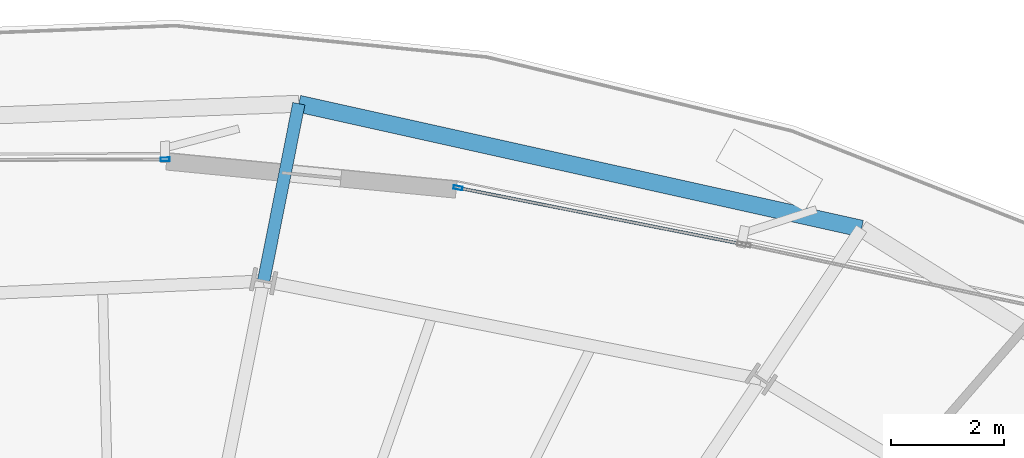
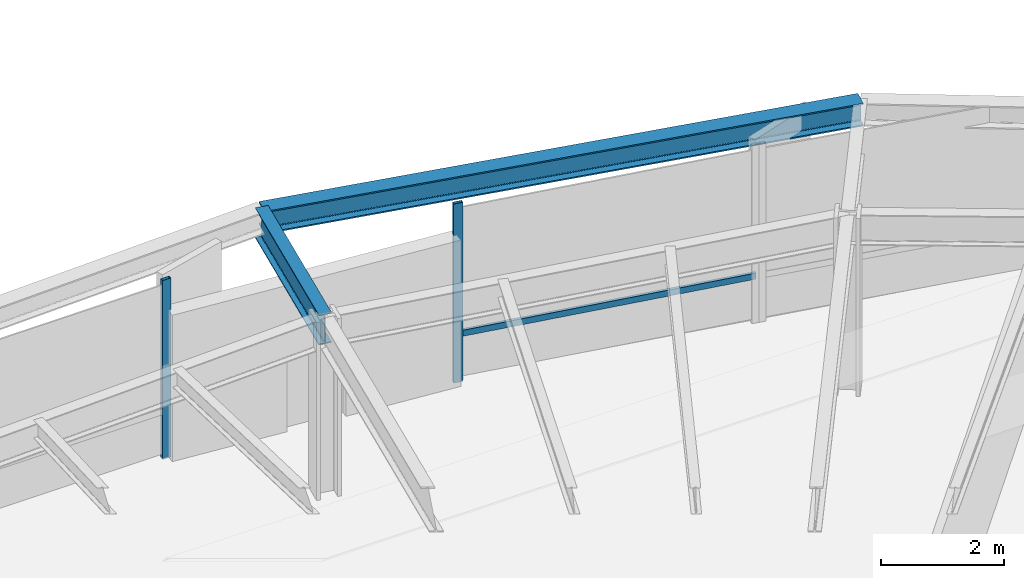
# One storey, part 27 of 37: 3 members, 2 beams, 2 elements without a shape of their own.
"""IFC4 building model written with IfcOpenShell, lengths in metres."""

import ifcopenshell
import ifcopenshell.guid

model = None  # the IFC model being written
_history = None  # IfcOwnerHistory: only IFC2X3 demands one
_inside = {}  # id of a spatial element -> (the spatial element, [elements in it])
_under = {}  # id of a project, library or spatial element -> (it, [spatial elements below it])
_declared = {}  # id of a project -> (the project, [libraries it declares])
_typed = {}  # id of a type object -> (the type object, [elements of that type])
_made_of = {}  # id of a material, layer set ... -> (it, [elements and type objects made of it])


def new_model(schema):
    """Start an empty IFC model of exactly this schema.

    Asked for "IFC4X3", IfcOpenShell would pick the latest addendum, in which some entities
    have other attributes; the version numbers below select the first issue.
    IFC2X3 requires an IfcOwnerHistory on every rooted entity: one is made here for all.
    """
    global model, _history
    if schema == "IFC4X3":
        model = ifcopenshell.file(schema_version=(4, 3, 0, 0))
    else:
        model = ifcopenshell.file(schema=schema)
    _inside.clear()
    _under.clear()
    _declared.clear()
    _typed.clear()
    _made_of.clear()
    _history = None
    if model.schema == "IFC2X3":
        org = make("IfcOrganization", Name="unknown")
        user = make(
            "IfcPersonAndOrganization",
            ThePerson=make("IfcPerson", FamilyName="unknown"),
            TheOrganization=org,
        )
        app = make(
            "IfcApplication",
            ApplicationDeveloper=org,
            Version="unknown",
            ApplicationFullName="unknown",
            ApplicationIdentifier="unknown",
        )
        _history = make(
            "IfcOwnerHistory",
            OwningUser=user,
            OwningApplication=app,
            ChangeAction="ADDED",
            CreationDate=0,
        )
    return model


def make(cls, **values):
    """One entity of the class cls with the attributes given. An attribute that is None is left unset."""
    return model.create_entity(
        cls, **{name: value for name, value in values.items() if value is not None}
    )


def rooted(cls, **values):
    """An entity with a GlobalId (a new one), such as an element, a storey or a relation."""
    return make(cls, GlobalId=ifcopenshell.guid.new(), OwnerHistory=_history, **values)


def si_unit(unit_type, name, prefix=None):
    """IfcSIUnit, for example si_unit("LENGTHUNIT", "METRE", prefix="MILLI")."""
    return make("IfcSIUnit", UnitType=unit_type, Prefix=prefix, Name=name)


def assignment(units):
    """IfcUnitAssignment: the units of a project."""
    return None if units is None else make("IfcUnitAssignment", Units=units)


def point(xyz):
    """IfcCartesianPoint."""
    return None if xyz is None else make("IfcCartesianPoint", Coordinates=xyz)


def direction(xyz):
    """IfcDirection."""
    return None if xyz is None else make("IfcDirection", DirectionRatios=xyz)


def frame(location, z_axis=None, x_axis=None):
    """IfcAxis2Placement3D, a coordinate frame: its origin and axes. An axis left out is left unset."""
    return make(
        "IfcAxis2Placement3D",
        Location=point(location),
        Axis=direction(z_axis),
        RefDirection=direction(x_axis),
    )


def frame_2d(location, x_axis=None):
    """IfcAxis2Placement2D, a coordinate frame in the plane: its origin and x axis."""
    return make(
        "IfcAxis2Placement2D", Location=point(location), RefDirection=direction(x_axis)
    )


def origin():
    """The frame at (0, 0, 0) with its axes left unset."""
    return frame((0.0, 0.0, 0.0))


def origin_2d():
    """The frame at (0, 0) in the plane with its x axis left unset."""
    return frame_2d((0.0, 0.0))


def place(relative_to, where):
    """IfcLocalPlacement: puts the frame where relative to a parent placement (None: the world)."""
    return make(
        "IfcLocalPlacement", PlacementRelTo=relative_to, RelativePlacement=where
    )


def context(
    kind, dimensions, precision=None, world=None, true_north=None, identifier=None
):
    """IfcGeometricRepresentationContext, for example the 3D "Model" context."""
    return make(
        "IfcGeometricRepresentationContext",
        ContextIdentifier=identifier,
        ContextType=kind,
        CoordinateSpaceDimension=dimensions,
        Precision=precision,
        WorldCoordinateSystem=world,
        TrueNorth=true_north,
    )


def subcontext(parent, identifier, kind, view, scale=None):
    """IfcGeometricRepresentationSubContext, for example "Body" below "Model"."""
    return make(
        "IfcGeometricRepresentationSubContext",
        ContextIdentifier=identifier,
        ContextType=kind,
        ParentContext=parent,
        TargetScale=scale,
        TargetView=view,
    )


def project(units=None, contexts=None):
    """IfcProject with its units and contexts."""
    return rooted(
        "IfcProject",
        Name="project",
        RepresentationContexts=contexts,
        UnitsInContext=assignment(units),
    )


def spatial(cls, under=None, at=None, **own):
    """A site, building, storey or space (cls), placed at a placement, below another one or the project."""
    s = rooted(cls, ObjectPlacement=at, **own)
    if under is not None:
        _under.setdefault(under.id(), (under, []))[1].append(s)
    return s


def profile(cls, at=None, kind="AREA", **sizes):
    """A parametric profile (cls). Its sizes go by their IFC names, for example OverallWidth=200.0."""
    return make(cls, ProfileType=kind, Position=at, **sizes)


def hollow_rectangle(**sizes):
    """IfcRectangleHollowProfileDef."""
    return profile("IfcRectangleHollowProfileDef", **sizes)


def i_section(**sizes):
    """IfcIShapeProfileDef."""
    return profile("IfcIShapeProfileDef", **sizes)


def extrude(swept, where, along, depth):
    """IfcExtrudedAreaSolid: the profile swept, set in the frame where, extruded along a direction by depth."""
    return make(
        "IfcExtrudedAreaSolid",
        SweptArea=swept,
        Position=where,
        ExtrudedDirection=direction(along),
        Depth=depth,
    )


def shape(context_of_items, identifier, shape_type, items):
    """IfcShapeRepresentation: the items that make up one representation, for example the "Body"."""
    return make(
        "IfcShapeRepresentation",
        ContextOfItems=context_of_items,
        RepresentationIdentifier=identifier,
        RepresentationType=shape_type,
        Items=items,
    )


def source(mapping_origin, context_of_items, identifier, shape_type, items):
    """IfcRepresentationMap: a shape defined once, which mapped items show again and again."""
    return make(
        "IfcRepresentationMap",
        MappingOrigin=mapping_origin,
        MappedRepresentation=shape(context_of_items, identifier, shape_type, items),
    )


def transform(
    local_origin,
    x_axis=None,
    y_axis=None,
    z_axis=None,
    scale=None,
    scale2=None,
    scale3=None,
    uniform=True,
):
    """IfcCartesianTransformationOperator3D, or its non-uniform kind. x_axis, y_axis, z_axis: its Axis1, 2, 3."""
    if uniform:
        return make(
            "IfcCartesianTransformationOperator3D",
            Axis1=direction(x_axis),
            Axis2=direction(y_axis),
            LocalOrigin=point(local_origin),
            Scale=scale,
            Axis3=direction(z_axis),
        )
    return make(
        "IfcCartesianTransformationOperator3DnonUniform",
        Axis1=direction(x_axis),
        Axis2=direction(y_axis),
        LocalOrigin=point(local_origin),
        Scale=scale,
        Axis3=direction(z_axis),
        Scale2=scale2,
        Scale3=scale3,
    )


def mapped(mapping_source, mapping_target):
    """IfcMappedItem: shows the shape of a source again, moved by a transform."""
    return make(
        "IfcMappedItem", MappingSource=mapping_source, MappingTarget=mapping_target
    )


def material(Name=None, Category=None):
    """IfcMaterial."""
    return make("IfcMaterial", Name=Name, Category=Category)


def layer(
    of_material, thickness, ventilated=None, Name=None, Category=None, Priority=None
):
    """IfcMaterialLayer: one layer of a wall or slab, of a material (None: an air gap)."""
    return make(
        "IfcMaterialLayer",
        Material=of_material,
        LayerThickness=thickness,
        IsVentilated=ventilated,
        Name=Name,
        Category=Category,
        Priority=Priority,
    )


def layer_set(layers, Name=None):
    """IfcMaterialLayerSet."""
    return make("IfcMaterialLayerSet", MaterialLayers=layers, LayerSetName=Name)


def material_profile(
    of_material, cross_section, Name=None, Category=None, Priority=None
):
    """IfcMaterialProfile: a cross section and its material."""
    return make(
        "IfcMaterialProfile",
        Name=Name,
        Material=of_material,
        Profile=cross_section,
        Priority=Priority,
        Category=Category,
    )


def profile_set(profiles, Name=None, composite=None):
    """IfcMaterialProfileSet."""
    return make(
        "IfcMaterialProfileSet",
        Name=Name,
        MaterialProfiles=profiles,
        CompositeProfile=composite,
    )


def made_of(thing, what):
    """Note that an element or type object is made of a material, layer set ...; save() writes the relation."""
    if what is not None:
        _made_of.setdefault(what.id(), (what, []))[1].append(thing)
    return thing


def type_object(cls, material=None, **own):
    """A type object (cls), such as IfcWallType, which elements share."""
    return made_of(rooted(cls, **own), material)


def element(
    cls,
    number,
    at=None,
    inside=None,
    cuts=None,
    type_object=None,
    material=None,
    context=None,
    identifier="Body",
    shape_type=None,
    held_by="IfcProductDefinitionShape",
    body=None,
    shapes=None,
    **own,
):
    """One element of the class cls, such as IfcWall. Its Tag is "e" and its number.

    at: its placement. inside: the storey or other place that contains it. cuts: it is an
    opening in that element (IfcRelVoidsElement). A single representation is given by context,
    identifier, shape_type and body (its items); several are given by shapes. held_by: the class
    of the entity that holds the representations. save() writes the other relations.
    """
    e = rooted(cls, Tag="e%d" % number, ObjectPlacement=at, **own)
    if body is not None:
        shapes = [shape(context, identifier, shape_type, body)]
    if shapes is not None:
        e.Representation = make(held_by, Representations=shapes)
    if inside is not None:
        _inside.setdefault(inside.id(), (inside, []))[1].append(e)
    if cuts is not None:
        rooted(
            "IfcRelVoidsElement", RelatingBuildingElement=cuts, RelatedOpeningElement=e
        )
    if type_object is not None:
        _typed.setdefault(type_object.id(), (type_object, []))[1].append(e)
    return made_of(e, material)


def aggregate(whole, parts):
    """IfcRelAggregates: a whole, such as a stair, and the parts it consists of."""
    return rooted("IfcRelAggregates", RelatingObject=whole, RelatedObjects=parts)


def save(model, path):
    """Write the relations noted so far, then the file.

    IfcRelAggregates (storeys below a building ...), IfcRelContainedInSpatialStructure (elements
    in a storey), IfcRelDefinesByType, IfcRelAssociatesMaterial and IfcRelDeclares: one each for
    every whole, place, type object, material and project.
    """
    for whole, parts in _under.values():
        aggregate(whole, parts)
    for where, things in _inside.values():
        rooted(
            "IfcRelContainedInSpatialStructure",
            RelatedElements=things,
            RelatingStructure=where,
        )
    for kind, things in _typed.values():
        rooted("IfcRelDefinesByType", RelatedObjects=things, RelatingType=kind)
    for what, things in _made_of.values():
        rooted("IfcRelAssociatesMaterial", RelatedObjects=things, RelatingMaterial=what)
    for by, libraries in _declared.values():
        rooted("IfcRelDeclares", RelatingContext=by, RelatedDefinitions=libraries)
    model.write(path)


model = new_model("IFC4")

# Units and contexts
model_context = context("Model", 3, precision=1e-05, world=origin(), true_north=direction((0.0, 1.0)))
body_context = subcontext(model_context, "Body", "Model", "MODEL_VIEW")
ifc_project = project(units=[si_unit("LENGTHUNIT", "METRE"), si_unit("AREAUNIT", "SQUARE_METRE"), si_unit("VOLUMEUNIT", "CUBIC_METRE"), si_unit("PLANEANGLEUNIT", "RADIAN"), si_unit("MASSUNIT", "GRAM", prefix="KILO"), si_unit("THERMODYNAMICTEMPERATUREUNIT", "KELVIN")], contexts=[model_context])

# Site, building, storey
site_placement = place(None, origin())
site = spatial("IfcSite", under=ifc_project, at=site_placement, CompositionType="ELEMENT")
building_placement = place(site_placement, origin())
building = spatial("IfcBuilding", under=site, at=building_placement, Name="Kethvar Cultural Tower", CompositionType="ELEMENT")
storey_placement = place(building_placement, frame((0.0, 0.0, 56.199951171875)))
storey = spatial("IfcBuildingStorey", under=building, at=storey_placement, Name="L13", CompositionType="ELEMENT", Elevation=56.199951171875)

# Beams
ifc_material_1 = material(Name="Steel S355J2", Category="steel")
ifc_material_profile_1 = material_profile(ifc_material_1, i_section(OverallWidth=0.219970703125, OverallDepth=0.60009765625, WebThickness=0.011962890625, FlangeThickness=0.01904296875, FilletRadius=0.02392578125, at=origin_2d()), Name="Steel S355J2 — IPE600")
ifc_profile_set_1 = profile_set([ifc_material_profile_1], Name="Steel S355J2 — IPE600")
beam_type_1 = type_object("IfcBeamType", Name="BM-IPE600", PredefinedType="BEAM", material=ifc_profile_set_1)
shared_shape_1 = source(origin(), body_context, "Body", "SweptSolid", [
    extrude(i_section(OverallWidth=0.219970703125, OverallDepth=0.60009765625, WebThickness=0.011962890625, FlangeThickness=0.01904296875, FilletRadius=0.02392578125, at=origin_2d()), origin(), (0.0, 0.0, 1.0), 3.199951171875),
])
beam_1_placement = place(storey_placement, frame((51.022216796875, 49.02587890625, 3.248046875), z_axis=(0.195088965533, 0.980785550224, 0.0), x_axis=(-0.980785550224, 0.195088965533, 0.0)))
element("IfcBeam", 1, at=beam_1_placement, inside=storey, type_object=beam_type_1, Name="L13 Perimeter Cantilever Beam RC-04", PredefinedType="BEAM", context=body_context, shape_type="MappedRepresentation", body=[
    mapped(shared_shape_1, transform((0.0, 0.0, 0.0), scale=1.0)),
])
ifc_material_profile_2 = material_profile(ifc_material_1, i_section(OverallWidth=0.300048828125, OverallDepth=0.449951171875, WebThickness=0.013916015625, FlangeThickness=0.02587890625, FilletRadius=0.027099609375, at=origin_2d()), Name="Steel S355J2 — HEB450")
ifc_profile_set_2 = profile_set([ifc_material_profile_2], Name="Steel S355J2 — HEB450")
beam_type_2 = type_object("IfcBeamType", Name="BM-SP450", PredefinedType="SPANDREL", material=ifc_profile_set_2)
shared_shape_2 = source(origin(), body_context, "Body", "SweptSolid", [
    extrude(i_section(OverallWidth=0.300048828125, OverallDepth=0.449951171875, WebThickness=0.013916015625, FlangeThickness=0.02587890625, FilletRadius=0.027099609375, at=origin_2d()), origin(), (0.0, 0.0, 1.0), 10.19873046875),
])
beam_2_placement = place(storey_placement, frame((61.602783203125, 49.9541015625, 3.322998046875), z_axis=(-0.976234913358, 0.216715006268, 0.0), x_axis=(-0.216715006268, -0.976234913358, 0.0)))
element("IfcBeam", 2, at=beam_2_placement, inside=storey, type_object=beam_type_2, Name="L13 Perimeter Spandrel Beam SP-03", PredefinedType="SPANDREL", context=body_context, shape_type="MappedRepresentation", body=[
    mapped(shared_shape_2, transform((0.0, 0.0, 0.0), scale=1.0)),
])

# Curtain wall, member
ifc_material_2 = material(Name="Aluminium 6063-T6", Category="aluminium")
ifc_layer = layer(ifc_material_2, 0.179931640625, Name="Aluminium 6063-T6", Category="aluminium")
ifc_layer_set = layer_set([ifc_layer], Name="Aluminium 6063-T6 (180 mm)")
curtain_wall_type = type_object("IfcCurtainWallType", Name="CW-SYS-02-Z1", PredefinedType="NOTDEFINED", material=ifc_layer_set)
curtain_wall_1_placement = place(storey_placement, origin())
curtain_wall_1 = element("IfcCurtainWall", 3, at=curtain_wall_1_placement, inside=storey, type_object=curtain_wall_type, Name="L13 Curtain Wall Run 02", PredefinedType="NOTDEFINED")
ifc_material_profile_3 = material_profile(ifc_material_2, hollow_rectangle(XDim=0.06494140625, YDim=0.159912109375, WallThickness=0.0048828125, at=origin_2d()), Name="Aluminium 6063-T6 — RHS160x65x5")
ifc_profile_set_3 = profile_set([ifc_material_profile_3], Name="Aluminium 6063-T6 — RHS160x65x5")
member_type_1 = type_object("IfcMemberType", Name="CW-SYS-02-Z1-MUL", PredefinedType="MULLION", material=ifc_profile_set_3)
shared_shape_3 = source(origin(), body_context, "Body", "SweptSolid", [
    extrude(hollow_rectangle(XDim=0.06494140625, YDim=0.159912109375, WallThickness=0.0048828125, at=origin_2d()), origin(), (0.0, 0.0, 1.0), 3.550048828125),
])
member_1_placement = place(storey_placement, frame((54.463134765625, 50.677001953125, 0.0), z_axis=(0.0, 0.0, 1.0), x_axis=(-0.194337075538, -0.980934809797, 0.0)))
member_1 = element("IfcMember", 4, at=member_1_placement, type_object=member_type_1, Name="CW-L13-R02 Mullion 2", PredefinedType="MULLION", context=body_context, shape_type="MappedRepresentation", body=[
    mapped(shared_shape_3, transform((0.0, 0.0, 0.0), scale=1.0)),
])

curtain_wall_2_placement = place(storey_placement, origin())
curtain_wall_2 = element("IfcCurtainWall", 5, at=curtain_wall_2_placement, inside=storey, type_object=curtain_wall_type, Name="L13 Curtain Wall Run 03", PredefinedType="NOTDEFINED")
member_2_placement = place(storey_placement, frame((49.27978515625, 51.180908203125, 0.0), z_axis=(0.0, 0.0, 1.0), x_axis=(0.003368479086, -0.999994326658, 0.0)))
member_2 = element("IfcMember", 6, at=member_2_placement, type_object=member_type_1, Name="CW-L13-R03 Mullion 1", PredefinedType="MULLION", context=body_context, shape_type="MappedRepresentation", body=[
    mapped(shared_shape_3, transform((0.0, 0.0, 0.0), scale=1.0)),
])
aggregate(curtain_wall_2, [member_2])

# Member
ifc_material_profile_4 = material_profile(ifc_material_2, hollow_rectangle(XDim=0.054931640625, YDim=0.1201171875, WallThickness=0.00390625, at=origin_2d()), Name="Aluminium 6063-T6 — RHS120x55x4")
ifc_profile_set_4 = profile_set([ifc_material_profile_4], Name="Aluminium 6063-T6 — RHS120x55x4")
member_type_2 = type_object("IfcMemberType", Name="CW-SYS-02-Z1-TRN", PredefinedType="USERDEFINED", material=ifc_profile_set_4)
shared_shape_4 = source(origin(), body_context, "Body", "SweptSolid", [
    extrude(hollow_rectangle(XDim=0.054931640625, YDim=0.1201171875, WallThickness=0.00390625, at=origin_2d()), origin(), (0.0, 0.0, 1.0), 5.105224609375),
])
member_3_placement = place(storey_placement, frame((59.4755859375, 49.68408203125, 0.949951171875), z_axis=(-0.980941351676, 0.194304051865, 0.0), x_axis=(-0.194304051865, -0.980941351676, 0.0)))
member_3 = element("IfcMember", 7, at=member_3_placement, type_object=member_type_2, Name="CW-L13-R02 Transom 1", ObjectType="TRANSOM", PredefinedType="USERDEFINED", context=body_context, shape_type="MappedRepresentation", body=[
    mapped(shared_shape_4, transform((0.0, 0.0, 0.0), scale=1.0)),
])

aggregate(curtain_wall_1, [member_1, member_3])

save(model, "model.ifc")
